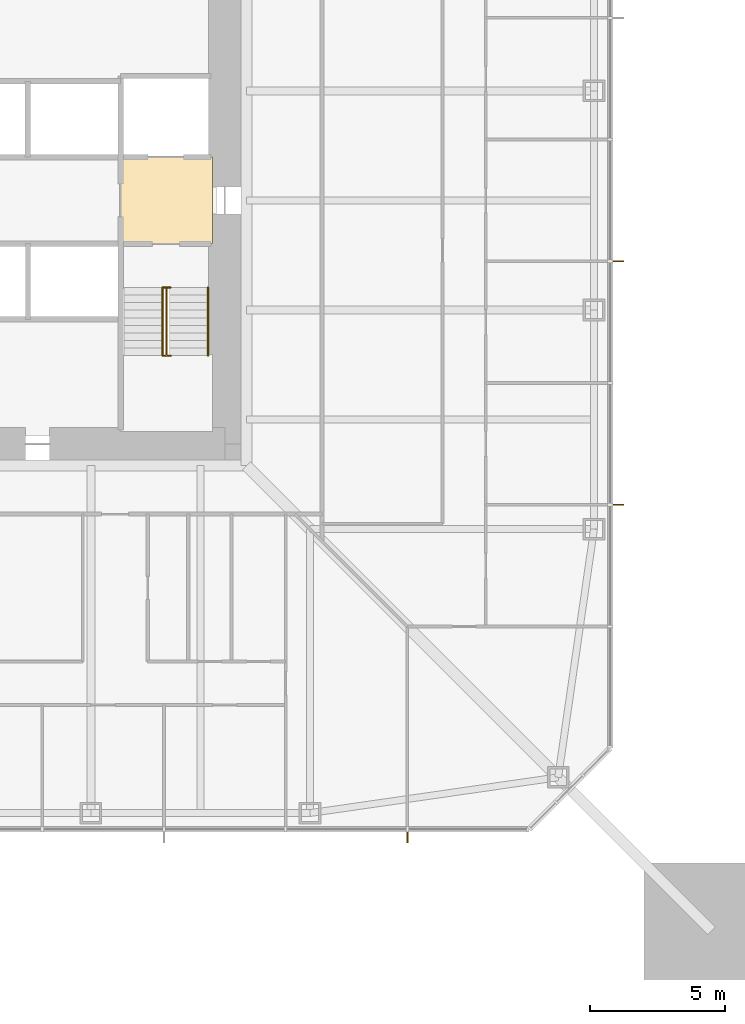
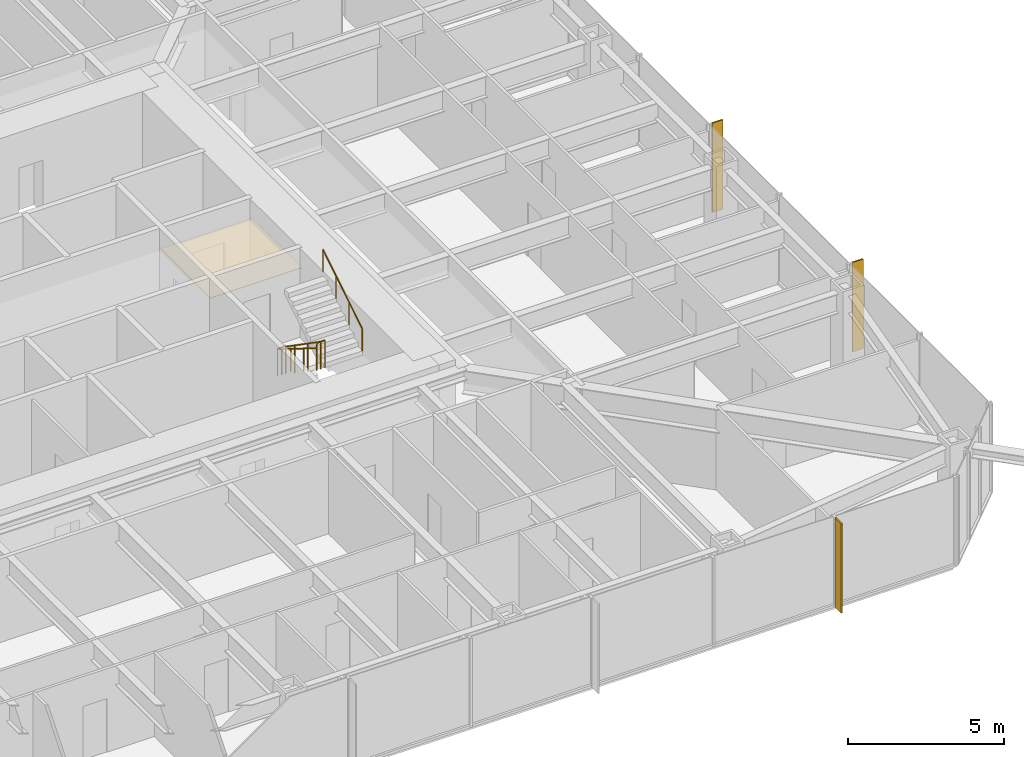
# One storey, part 24 of 26: 3 railings, 3 shading devices, 1 covering.
"""IFC4 building model written with IfcOpenShell, lengths in metres."""

from ifc_helpers import new_model, si_unit, direction, frame, origin, origin_2d, place, context, subcontext, project, spatial, polyline, rectangle, circle, outline, extrude, material, layer, layer_set, constituent, constituent_set, type_object, element, save


model = new_model("IFC4")

# Units and contexts
model_context = context("Model", 3, precision=1e-05, world=origin(), true_north=direction((0.0, 1.0)))
body_context = subcontext(model_context, "Body", "Model", "MODEL_VIEW")
ifc_project = project(units=[si_unit("LENGTHUNIT", "METRE"), si_unit("AREAUNIT", "SQUARE_METRE"), si_unit("VOLUMEUNIT", "CUBIC_METRE"), si_unit("PLANEANGLEUNIT", "RADIAN"), si_unit("MASSUNIT", "GRAM", prefix="KILO")], contexts=[model_context])

# Site, building, storey
site_placement = place(None, origin())
site = spatial("IfcSite", under=ifc_project, at=site_placement, CompositionType="ELEMENT")
building_placement = place(site_placement, origin())
building = spatial("IfcBuilding", under=site, at=building_placement, Name="Iwan Alto Co-Living Towers", CompositionType="ELEMENT")
storey_placement = place(building_placement, frame((0.0, 0.0, 29.0)))
storey = spatial("IfcBuildingStorey", under=building, at=storey_placement, Name="L07", CompositionType="ELEMENT", Elevation=29.0)

# Covering
ifc_material_1 = material(Name="Mineral fibre acoustic tiles on steel grid", Category="steel")
ifc_layer_1 = layer(ifc_material_1, 0.02001953125)
ifc_layer_set_1 = layer_set([ifc_layer_1], Name="ACOUSTIC TILE CEILING 20")
covering_type = type_object("IfcCoveringType", Name="ACOUSTIC TILE CEILING 20", PredefinedType="CEILING", material=ifc_layer_set_1)
covering_placement = place(storey_placement, frame((0.0, 0.0, 2.60009765625)))
element("IfcCovering", 1, at=covering_placement, inside=storey, type_object=covering_type, Name="Ceiling Firefighting lobby L07", PredefinedType="CEILING", context=body_context, shape_type="SweptSolid", body=[
    extrude(outline(polyline([(5.14990234375, -1.60009765625), (5.14990234375, 1.60009765625), (8.550048828125, 1.60009765625), (8.550048828125, -1.60009765625), (5.14990234375, -1.60009765625)])), origin(), (0.0, 0.0, 1.0), 0.02001953125),
])

# Shading devices
ifc_material_2 = material(Name="Aluminium 6063-T6 bronze anodised", Category="aluminium")
ifc_layer_2 = layer(ifc_material_2, 0.050048828125)
ifc_layer_set_2 = layer_set([ifc_layer_2], Name="BRONZE FIN 50X400")
shading_device_type = type_object("IfcShadingDeviceType", Name="BRONZE FIN 50X400", PredefinedType="USERDEFINED", material=ifc_layer_set_2)
for number, where, z_axis, x_axis, name in (
    (2, (15.75, -23.550048828125, 0.0), (0.0, 0.0, 1.0), (1.0, 0.0, 0.0), "Bronze fin L07"),
    (3, (23.550048828125, -11.25, 0.0), (0.0, 0.0, 1.0), (0.0, 1.0, 0.0), "Bronze fin L07"),
    (4, (23.550048828125, -2.25, 0.0), (0.0, 0.0, 1.0), (0.0, 1.0, 0.0), "Bronze fin L07"),
):
    element("IfcShadingDevice", number, at=place(storey_placement, frame(where, z_axis=z_axis, x_axis=x_axis)), inside=storey, type_object=shading_device_type, Name=name, ObjectType="LOUVER", PredefinedType="USERDEFINED", context=body_context, shape_type="SweptSolid", body=[
        extrude(rectangle(XDim=0.050048828125, YDim=0.39990234375, at=origin_2d()), origin(), (0.0, 0.0, 1.0), 3.5),
    ])

# Railings
ifc_material_3 = material(Name="Steel ASTM A500 Gr C", Category="steel")
ifc_constituent_1 = constituent(ifc_material_3, Name="Rails and posts", Category="Framing")
ifc_material_4 = material(Name="Steel ASTM A36", Category="steel")
ifc_constituent_2 = constituent(ifc_material_4, Name="Bar infill", Category="Infill")
ifc_constituent_set = constituent_set(constituents=[ifc_constituent_1, ifc_constituent_2], Name="STAIR GUARD 1100")
railing_type_1 = type_object("IfcRailingType", Name="STAIR GUARD 1100", PredefinedType="GUARDRAIL", material=ifc_constituent_set)
railing_1_placement = place(storey_placement, frame((6.85009765625, -3.219970703125, 0.0)))
element("IfcRailing", 5, at=railing_1_placement, inside=storey, type_object=railing_type_1, Name="Stair T1-S2 well guard L07", PredefinedType="GUARDRAIL", context=body_context, shape_type="SweptSolid", body=[
    extrude(circle(Radius=0.02392578125, at=origin_2d()), frame((0.0, 0.0, 1.076171875), z_axis=(0.0, -0.821372036852, 0.570392826987), x_axis=(1.0, 0.0, 0.0)), (0.0, 0.0, 1.0), 3.068115234375),
    extrude(circle(Radius=0.02392578125, at=origin_2d()), frame((-0.150146484375, 0.0, 1.076171875), z_axis=(1.0, 0.0, 0.0), x_axis=(0.0, 1.0, 0.0)), (0.0, 0.0, 1.0), 0.300048828125),
    extrude(circle(Radius=0.02392578125, at=origin_2d()), frame((-0.150146484375, -2.52001953125, 2.826171875), z_axis=(1.0, 0.0, 0.0), x_axis=(0.0, 1.0, 0.0)), (0.0, 0.0, 1.0), 0.300048828125),
    extrude(circle(Radius=0.02099609375, at=origin_2d()), origin(), (0.0, 0.0, 1.0), 1.052001953125),
    extrude(circle(Radius=0.02099609375, at=origin_2d()), frame((0.0, -0.840087890625, 0.583251953125)), (0.0, 0.0, 1.0), 1.052001953125),
    extrude(circle(Radius=0.02099609375, at=origin_2d()), frame((0.0, -1.679931640625, 1.166748046875)), (0.0, 0.0, 1.0), 1.052001953125),
    extrude(circle(Radius=0.02099609375, at=origin_2d()), frame((0.0, -2.52001953125, 1.75)), (0.0, 0.0, 1.0), 1.052001953125),
    extrude(circle(Radius=0.02099609375, at=origin_2d()), frame((-0.150146484375, 0.0, 0.0)), (0.0, 0.0, 1.0), 1.052001953125),
    extrude(circle(Radius=0.02099609375, at=origin_2d()), frame((0.14990234375, 0.0, 0.0)), (0.0, 0.0, 1.0), 1.052001953125),
    extrude(circle(Radius=0.02099609375, at=origin_2d()), frame((-0.150146484375, -2.52001953125, 1.75)), (0.0, 0.0, 1.0), 1.052001953125),
    extrude(circle(Radius=0.02099609375, at=origin_2d()), frame((0.14990234375, -2.52001953125, 1.75)), (0.0, 0.0, 1.0), 1.052001953125),
])
ifc_material_5 = material(Name="Steel ASTM A500 Gr C", Category="steel")
railing_type_2 = type_object("IfcRailingType", Name="STAIR HANDRAIL 900", PredefinedType="HANDRAIL", material=ifc_material_5)
railing_2_placement = place(storey_placement, frame((6.699951171875, -3.219970703125, 0.175048828125)))
element("IfcRailing", 6, at=railing_2_placement, inside=storey, type_object=railing_type_2, Name="Stair T1-S2 handrail 1 L07", PredefinedType="HANDRAIL", context=body_context, shape_type="SweptSolid", body=[
    extrude(circle(Radius=0.02392578125, at=origin_2d()), frame((0.0, 0.0, 0.8759765625), z_axis=(0.0, -0.848007534815, 0.529984170421), x_axis=(1.0, 0.0, 0.0)), (0.0, 0.0, 1.0), 2.9716796875),
    extrude(circle(Radius=0.02099609375, at=origin_2d()), origin(), (0.0, 0.0, 1.0), 0.851806640625),
    extrude(circle(Radius=0.02099609375, at=origin_2d()), frame((0.0, -0.840087890625, 0.52490234375)), (0.0, 0.0, 1.0), 0.851806640625),
    extrude(circle(Radius=0.02099609375, at=origin_2d()), frame((0.0, -1.679931640625, 1.050048828125)), (0.0, 0.0, 1.0), 0.851806640625),
    extrude(circle(Radius=0.02099609375, at=origin_2d()), frame((0.0, -2.52001953125, 1.574951171875)), (0.0, 0.0, 1.0), 0.851806640625),
])
railing_3_placement = place(storey_placement, frame((8.3798828125, -5.739990234375, 1.925048828125)))
element("IfcRailing", 7, at=railing_3_placement, inside=storey, type_object=railing_type_2, Name="Stair T1-S2 handrail 2 L07", PredefinedType="HANDRAIL", context=body_context, shape_type="SweptSolid", body=[
    extrude(circle(Radius=0.02392578125, at=origin_2d()), frame((0.0, 0.0, 0.8759765625), z_axis=(0.0, 0.848007534815, 0.529984170421), x_axis=(-1.0, 0.0, 0.0)), (0.0, 0.0, 1.0), 2.9716796875),
    extrude(circle(Radius=0.02099609375, at=origin_2d()), origin(), (0.0, 0.0, 1.0), 0.851806640625),
    extrude(circle(Radius=0.02099609375, at=origin_2d()), frame((0.0, 0.840087890625, 0.52490234375)), (0.0, 0.0, 1.0), 0.851806640625),
    extrude(circle(Radius=0.02099609375, at=origin_2d()), frame((0.0, 1.679931640625, 1.050048828125)), (0.0, 0.0, 1.0), 0.851806640625),
    extrude(circle(Radius=0.02099609375, at=origin_2d()), frame((0.0, 2.52001953125, 1.574951171875)), (0.0, 0.0, 1.0), 0.851806640625),
])

save(model, "model.ifc")
